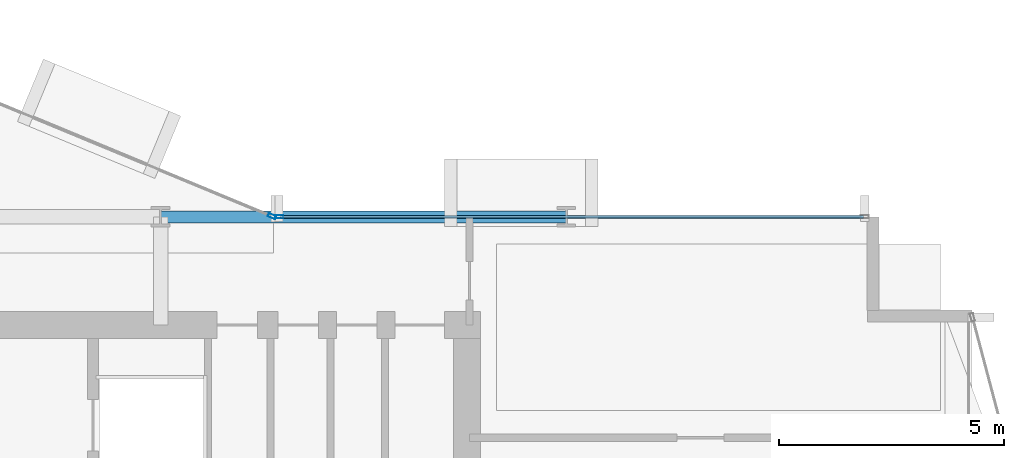
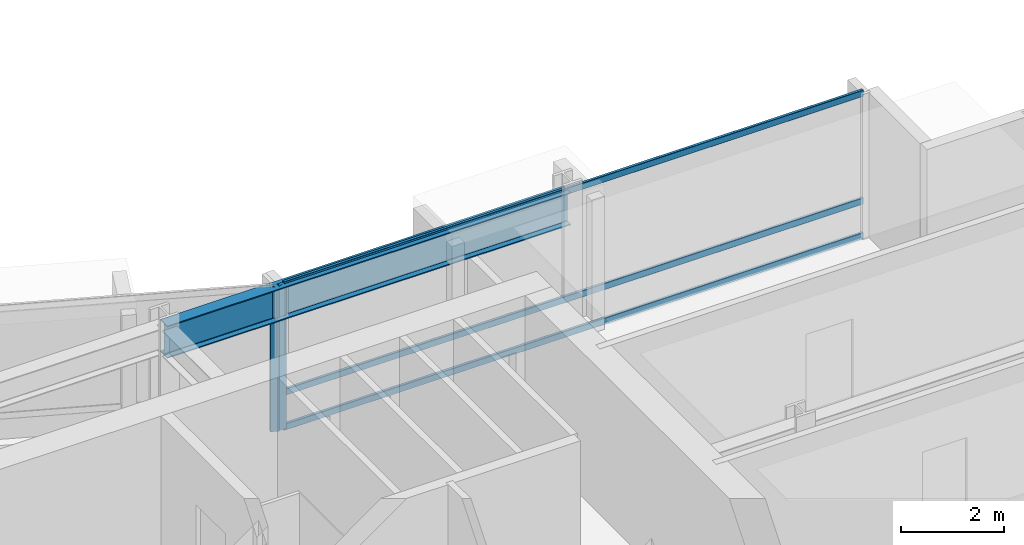
# One storey, part 13 of 29: 5 members, 1 beam, 2 elements without a shape of their own.
"""IFC4 building model written with IfcOpenShell, lengths in metres."""

from ifc_helpers import new_model, si_unit, direction, frame, origin, origin_2d, place, context, subcontext, project, spatial, hollow_rectangle, i_section, extrude, material, layer, layer_set, material_profile, profile_set, type_object, element, aggregate, save


model = new_model("IFC4")

# Units and contexts
model_context = context("Model", 3, precision=1e-05, world=origin(), true_north=direction((0.0, 1.0)))
body_context = subcontext(model_context, "Body", "Model", "MODEL_VIEW")
ifc_project = project(units=[si_unit("LENGTHUNIT", "METRE"), si_unit("AREAUNIT", "SQUARE_METRE"), si_unit("VOLUMEUNIT", "CUBIC_METRE"), si_unit("PLANEANGLEUNIT", "RADIAN"), si_unit("MASSUNIT", "GRAM", prefix="KILO")], contexts=[model_context])

# Site, building, storey
site_placement = place(None, origin())
site = spatial("IfcSite", under=ifc_project, at=site_placement, CompositionType="ELEMENT")
building_placement = place(site_placement, origin())
building = spatial("IfcBuilding", under=site, at=building_placement, Name="Solvaryn Broadcast Tower", CompositionType="ELEMENT")
storey_placement = place(building_placement, frame((0.0, 0.0, 117.39990234375)))
storey = spatial("IfcBuildingStorey", under=building, at=storey_placement, Name="L28", CompositionType="ELEMENT", Elevation=117.39990234375)

# Beam
ifc_material_1 = material(Name="Steel ASTM A992 Grade 50", Category="steel")
ifc_material_profile_1 = material_profile(ifc_material_1, i_section(OverallWidth=0.26708984375, OverallDepth=0.76611328125, WebThickness=0.014892578125, FlangeThickness=0.023681640625, FilletRadius=0.01806640625, at=origin_2d()))
ifc_profile_set_1 = profile_set([ifc_material_profile_1], Name="Steel ASTM A992 Grade 50")
beam_type = type_object("IfcBeamType", Name="BM-SP2-W30X124", PredefinedType="USERDEFINED", material=ifc_profile_set_1)
beam_placement = place(storey_placement, frame((36.0, 27.0, 3.037109375), z_axis=(1.0, 0.0, 0.0), x_axis=(0.0, 1.0, 0.0)))
element("IfcBeam", 1, at=beam_placement, inside=storey, type_object=beam_type, Name="L28 Spandrel Beam X (36-45 @ Y=27)", ObjectType="SPANDREL", PredefinedType="USERDEFINED", context=body_context, shape_type="SweptSolid", body=[
    extrude(i_section(OverallWidth=0.26708984375, OverallDepth=0.76611328125, WebThickness=0.014892578125, FlangeThickness=0.023681640625, FilletRadius=0.01806640625, at=origin_2d()), origin(), (0.0, 0.0, 1.0), 9.0),
])

# Curtain wall, member
ifc_material_2 = material(Name="Aluminium and Terracotta Unitised Curtain Wall", Category="masonry")
ifc_layer = layer(ifc_material_2, 0.199951171875)
ifc_layer_set = layer_set([ifc_layer], Name="CW-SYS2-LOWMID")
curtain_wall_type = type_object("IfcCurtainWallType", Name="CW-SYS2-LOWMID", PredefinedType="NOTDEFINED", material=ifc_layer_set)
curtain_wall_1_placement = place(storey_placement, origin())
curtain_wall_1 = element("IfcCurtainWall", 2, at=curtain_wall_1_placement, inside=storey, type_object=curtain_wall_type, Name="L28 Curtain Wall CN1", PredefinedType="NOTDEFINED")
ifc_material_3 = material(Name="Anodised Aluminium 6063-T6", Category="aluminium")
ifc_material_profile_2 = material_profile(ifc_material_3, hollow_rectangle(XDim=0.074951171875, YDim=0.179931640625, WallThickness=0.00390625, InnerFilletRadius=0.00390625, OuterFilletRadius=0.008056640625, at=origin_2d()))
ifc_profile_set_2 = profile_set([ifc_material_profile_2], Name="Anodised Aluminium 6063-T6")
member_type_1 = type_object("IfcMemberType", Name="CW-MUL-180", PredefinedType="MULLION", material=ifc_profile_set_2)
member_1_placement = place(storey_placement, frame((38.47216796875, 27.011474609375, 0.0), z_axis=(0.0, 0.0, 1.0), x_axis=(-0.382646127145, -0.923894983957, 0.0)))
member_1 = element("IfcMember", 3, at=member_1_placement, type_object=member_type_1, Name="CWS2 mullion 1", PredefinedType="MULLION", context=body_context, shape_type="SweptSolid", body=[
    extrude(hollow_rectangle(XDim=0.074951171875, YDim=0.179931640625, WallThickness=0.00390625, InnerFilletRadius=0.00390625, OuterFilletRadius=0.008056640625, at=origin_2d()), origin(), (0.0, 0.0, 1.0), 3.420166015625),
])
aggregate(curtain_wall_1, [member_1])

# Curtain wall, members
curtain_wall_2_placement = place(storey_placement, origin())
curtain_wall_2 = element("IfcCurtainWall", 4, at=curtain_wall_2_placement, inside=storey, type_object=curtain_wall_type, Name="L28 Curtain Wall IH", PredefinedType="NOTDEFINED")
member_2_placement = place(storey_placement, frame((38.6298828125, 27.0, 0.0), z_axis=(0.0, 0.0, 1.0), x_axis=(0.0, 1.0, 0.0)))
member_2 = element("IfcMember", 5, at=member_2_placement, type_object=member_type_1, Name="CWS2 mullion 1", PredefinedType="MULLION", context=body_context, shape_type="SweptSolid", body=[
    extrude(hollow_rectangle(XDim=0.074951171875, YDim=0.179931640625, WallThickness=0.00390625, InnerFilletRadius=0.00390625, OuterFilletRadius=0.008056640625, at=origin_2d()), origin(), (0.0, 0.0, 1.0), 3.420166015625),
])
ifc_material_4 = material(Name="Anodised Aluminium 6063-T6", Category="aluminium")
ifc_material_profile_3 = material_profile(ifc_material_4, hollow_rectangle(XDim=0.06494140625, YDim=0.14990234375, WallThickness=0.00390625, InnerFilletRadius=0.00390625, OuterFilletRadius=0.008056640625, at=origin_2d()))
ifc_profile_set_3 = profile_set([ifc_material_profile_3], Name="Anodised Aluminium 6063-T6")
member_type_2 = type_object("IfcMemberType", Name="CW-TRN-150", PredefinedType="USERDEFINED", material=ifc_profile_set_3)
member_3_placement = place(storey_placement, frame((38.659912109375, 27.0, 0.030029296875), z_axis=(1.0, 0.0, 0.0), x_axis=(0.0, 1.0, 0.0)))
member_3 = element("IfcMember", 6, at=member_3_placement, type_object=member_type_2, Name="CWS2 transom 1.1", ObjectType="TRANSOM", PredefinedType="USERDEFINED", context=body_context, shape_type="SweptSolid", body=[
    extrude(hollow_rectangle(XDim=0.06494140625, YDim=0.14990234375, WallThickness=0.00390625, InnerFilletRadius=0.00390625, OuterFilletRadius=0.008056640625, at=origin_2d()), origin(), (0.0, 0.0, 1.0), 12.93017578125),
])
member_4_placement = place(storey_placement, frame((38.659912109375, 27.0, 0.85009765625), z_axis=(1.0, 0.0, 0.0), x_axis=(0.0, 1.0, 0.0)))
member_4 = element("IfcMember", 7, at=member_4_placement, type_object=member_type_2, Name="CWS2 transom 1.2", ObjectType="TRANSOM", PredefinedType="USERDEFINED", context=body_context, shape_type="SweptSolid", body=[
    extrude(hollow_rectangle(XDim=0.06494140625, YDim=0.14990234375, WallThickness=0.00390625, InnerFilletRadius=0.00390625, OuterFilletRadius=0.008056640625, at=origin_2d()), origin(), (0.0, 0.0, 1.0), 12.93017578125),
])
member_5_placement = place(storey_placement, frame((38.659912109375, 27.0, 3.39013671875), z_axis=(1.0, 0.0, 0.0), x_axis=(0.0, 1.0, 0.0)))
member_5 = element("IfcMember", 8, at=member_5_placement, type_object=member_type_2, Name="CWS2 transom 1.3", ObjectType="TRANSOM", PredefinedType="USERDEFINED", context=body_context, shape_type="SweptSolid", body=[
    extrude(hollow_rectangle(XDim=0.06494140625, YDim=0.14990234375, WallThickness=0.00390625, InnerFilletRadius=0.00390625, OuterFilletRadius=0.008056640625, at=origin_2d()), origin(), (0.0, 0.0, 1.0), 12.93017578125),
])
aggregate(curtain_wall_2, [member_2, member_3, member_4, member_5])

save(model, "model.ifc")
